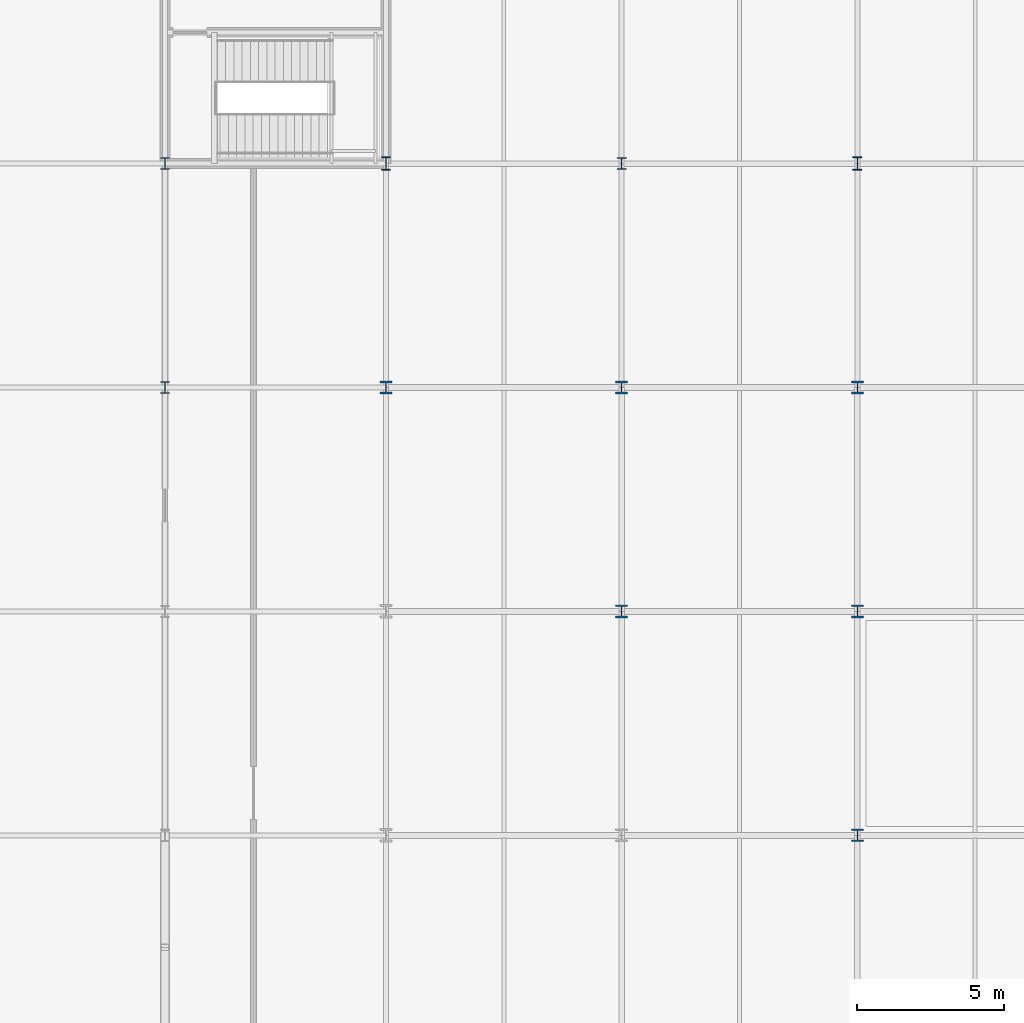
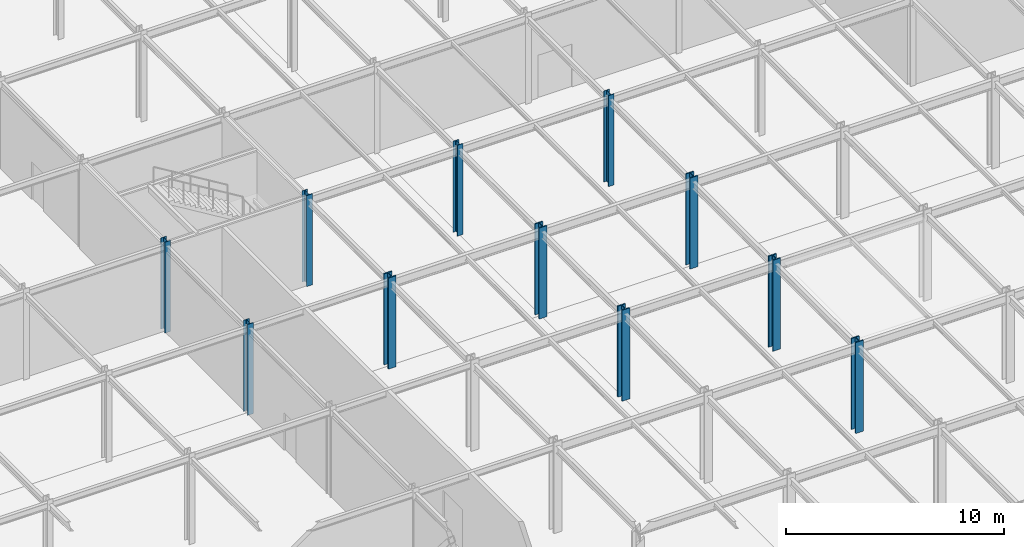
# One storey, part 4 of 113: 11 columns.
"""IFC4 building model written with IfcOpenShell, lengths in metres."""

import ifcopenshell
import ifcopenshell.guid

model = None  # the IFC model being written
_history = None  # IfcOwnerHistory: only IFC2X3 demands one
_inside = {}  # id of a spatial element -> (the spatial element, [elements in it])
_under = {}  # id of a project, library or spatial element -> (it, [spatial elements below it])
_declared = {}  # id of a project -> (the project, [libraries it declares])
_typed = {}  # id of a type object -> (the type object, [elements of that type])
_made_of = {}  # id of a material, layer set ... -> (it, [elements and type objects made of it])


def new_model(schema):
    """Start an empty IFC model of exactly this schema.

    Asked for "IFC4X3", IfcOpenShell would pick the latest addendum, in which some entities
    have other attributes; the version numbers below select the first issue.
    IFC2X3 requires an IfcOwnerHistory on every rooted entity: one is made here for all.
    """
    global model, _history
    if schema == "IFC4X3":
        model = ifcopenshell.file(schema_version=(4, 3, 0, 0))
    else:
        model = ifcopenshell.file(schema=schema)
    _inside.clear()
    _under.clear()
    _declared.clear()
    _typed.clear()
    _made_of.clear()
    _history = None
    if model.schema == "IFC2X3":
        org = make("IfcOrganization", Name="unknown")
        user = make(
            "IfcPersonAndOrganization",
            ThePerson=make("IfcPerson", FamilyName="unknown"),
            TheOrganization=org,
        )
        app = make(
            "IfcApplication",
            ApplicationDeveloper=org,
            Version="unknown",
            ApplicationFullName="unknown",
            ApplicationIdentifier="unknown",
        )
        _history = make(
            "IfcOwnerHistory",
            OwningUser=user,
            OwningApplication=app,
            ChangeAction="ADDED",
            CreationDate=0,
        )
    return model


def make(cls, **values):
    """One entity of the class cls with the attributes given. An attribute that is None is left unset."""
    return model.create_entity(
        cls, **{name: value for name, value in values.items() if value is not None}
    )


def rooted(cls, **values):
    """An entity with a GlobalId (a new one), such as an element, a storey or a relation."""
    return make(cls, GlobalId=ifcopenshell.guid.new(), OwnerHistory=_history, **values)


def si_unit(unit_type, name, prefix=None):
    """IfcSIUnit, for example si_unit("LENGTHUNIT", "METRE", prefix="MILLI")."""
    return make("IfcSIUnit", UnitType=unit_type, Prefix=prefix, Name=name)


def assignment(units):
    """IfcUnitAssignment: the units of a project."""
    return None if units is None else make("IfcUnitAssignment", Units=units)


def point(xyz):
    """IfcCartesianPoint."""
    return None if xyz is None else make("IfcCartesianPoint", Coordinates=xyz)


def direction(xyz):
    """IfcDirection."""
    return None if xyz is None else make("IfcDirection", DirectionRatios=xyz)


def frame(location, z_axis=None, x_axis=None):
    """IfcAxis2Placement3D, a coordinate frame: its origin and axes. An axis left out is left unset."""
    return make(
        "IfcAxis2Placement3D",
        Location=point(location),
        Axis=direction(z_axis),
        RefDirection=direction(x_axis),
    )


def frame_2d(location, x_axis=None):
    """IfcAxis2Placement2D, a coordinate frame in the plane: its origin and x axis."""
    return make(
        "IfcAxis2Placement2D", Location=point(location), RefDirection=direction(x_axis)
    )


def origin():
    """The frame at (0, 0, 0) with its axes left unset."""
    return frame((0.0, 0.0, 0.0))


def origin_2d():
    """The frame at (0, 0) in the plane with its x axis left unset."""
    return frame_2d((0.0, 0.0))


def place(relative_to, where):
    """IfcLocalPlacement: puts the frame where relative to a parent placement (None: the world)."""
    return make(
        "IfcLocalPlacement", PlacementRelTo=relative_to, RelativePlacement=where
    )


def context(
    kind, dimensions, precision=None, world=None, true_north=None, identifier=None
):
    """IfcGeometricRepresentationContext, for example the 3D "Model" context."""
    return make(
        "IfcGeometricRepresentationContext",
        ContextIdentifier=identifier,
        ContextType=kind,
        CoordinateSpaceDimension=dimensions,
        Precision=precision,
        WorldCoordinateSystem=world,
        TrueNorth=true_north,
    )


def subcontext(parent, identifier, kind, view, scale=None):
    """IfcGeometricRepresentationSubContext, for example "Body" below "Model"."""
    return make(
        "IfcGeometricRepresentationSubContext",
        ContextIdentifier=identifier,
        ContextType=kind,
        ParentContext=parent,
        TargetScale=scale,
        TargetView=view,
    )


def project(units=None, contexts=None):
    """IfcProject with its units and contexts."""
    return rooted(
        "IfcProject",
        Name="project",
        RepresentationContexts=contexts,
        UnitsInContext=assignment(units),
    )


def spatial(cls, under=None, at=None, **own):
    """A site, building, storey or space (cls), placed at a placement, below another one or the project."""
    s = rooted(cls, ObjectPlacement=at, **own)
    if under is not None:
        _under.setdefault(under.id(), (under, []))[1].append(s)
    return s


def profile(cls, at=None, kind="AREA", **sizes):
    """A parametric profile (cls). Its sizes go by their IFC names, for example OverallWidth=200.0."""
    return make(cls, ProfileType=kind, Position=at, **sizes)


def i_section(**sizes):
    """IfcIShapeProfileDef."""
    return profile("IfcIShapeProfileDef", **sizes)


def extrude(swept, where, along, depth):
    """IfcExtrudedAreaSolid: the profile swept, set in the frame where, extruded along a direction by depth."""
    return make(
        "IfcExtrudedAreaSolid",
        SweptArea=swept,
        Position=where,
        ExtrudedDirection=direction(along),
        Depth=depth,
    )


def shape(context_of_items, identifier, shape_type, items):
    """IfcShapeRepresentation: the items that make up one representation, for example the "Body"."""
    return make(
        "IfcShapeRepresentation",
        ContextOfItems=context_of_items,
        RepresentationIdentifier=identifier,
        RepresentationType=shape_type,
        Items=items,
    )


def material(Name=None, Category=None):
    """IfcMaterial."""
    return make("IfcMaterial", Name=Name, Category=Category)


def material_profile(
    of_material, cross_section, Name=None, Category=None, Priority=None
):
    """IfcMaterialProfile: a cross section and its material."""
    return make(
        "IfcMaterialProfile",
        Name=Name,
        Material=of_material,
        Profile=cross_section,
        Priority=Priority,
        Category=Category,
    )


def profile_set(profiles, Name=None, composite=None):
    """IfcMaterialProfileSet."""
    return make(
        "IfcMaterialProfileSet",
        Name=Name,
        MaterialProfiles=profiles,
        CompositeProfile=composite,
    )


def made_of(thing, what):
    """Note that an element or type object is made of a material, layer set ...; save() writes the relation."""
    if what is not None:
        _made_of.setdefault(what.id(), (what, []))[1].append(thing)
    return thing


def type_object(cls, material=None, **own):
    """A type object (cls), such as IfcWallType, which elements share."""
    return made_of(rooted(cls, **own), material)


def element(
    cls,
    number,
    at=None,
    inside=None,
    cuts=None,
    type_object=None,
    material=None,
    context=None,
    identifier="Body",
    shape_type=None,
    held_by="IfcProductDefinitionShape",
    body=None,
    shapes=None,
    **own,
):
    """One element of the class cls, such as IfcWall. Its Tag is "e" and its number.

    at: its placement. inside: the storey or other place that contains it. cuts: it is an
    opening in that element (IfcRelVoidsElement). A single representation is given by context,
    identifier, shape_type and body (its items); several are given by shapes. held_by: the class
    of the entity that holds the representations. save() writes the other relations.
    """
    e = rooted(cls, Tag="e%d" % number, ObjectPlacement=at, **own)
    if body is not None:
        shapes = [shape(context, identifier, shape_type, body)]
    if shapes is not None:
        e.Representation = make(held_by, Representations=shapes)
    if inside is not None:
        _inside.setdefault(inside.id(), (inside, []))[1].append(e)
    if cuts is not None:
        rooted(
            "IfcRelVoidsElement", RelatingBuildingElement=cuts, RelatedOpeningElement=e
        )
    if type_object is not None:
        _typed.setdefault(type_object.id(), (type_object, []))[1].append(e)
    return made_of(e, material)


def aggregate(whole, parts):
    """IfcRelAggregates: a whole, such as a stair, and the parts it consists of."""
    return rooted("IfcRelAggregates", RelatingObject=whole, RelatedObjects=parts)


def save(model, path):
    """Write the relations noted so far, then the file.

    IfcRelAggregates (storeys below a building ...), IfcRelContainedInSpatialStructure (elements
    in a storey), IfcRelDefinesByType, IfcRelAssociatesMaterial and IfcRelDeclares: one each for
    every whole, place, type object, material and project.
    """
    for whole, parts in _under.values():
        aggregate(whole, parts)
    for where, things in _inside.values():
        rooted(
            "IfcRelContainedInSpatialStructure",
            RelatedElements=things,
            RelatingStructure=where,
        )
    for kind, things in _typed.values():
        rooted("IfcRelDefinesByType", RelatedObjects=things, RelatingType=kind)
    for what, things in _made_of.values():
        rooted("IfcRelAssociatesMaterial", RelatedObjects=things, RelatingMaterial=what)
    for by, libraries in _declared.values():
        rooted("IfcRelDeclares", RelatingContext=by, RelatedDefinitions=libraries)
    model.write(path)


model = new_model("IFC4")

# Units and contexts
model_context = context("Model", 3, precision=1e-05, world=origin(), true_north=direction((0.0, 1.0)))
body_context = subcontext(model_context, "Body", "Model", "MODEL_VIEW")
ifc_project = project(units=[si_unit("LENGTHUNIT", "METRE"), si_unit("AREAUNIT", "SQUARE_METRE"), si_unit("VOLUMEUNIT", "CUBIC_METRE"), si_unit("PLANEANGLEUNIT", "RADIAN"), si_unit("MASSUNIT", "GRAM", prefix="KILO")], contexts=[model_context])

# Site, building, storey
site_placement = place(None, origin())
site = spatial("IfcSite", under=ifc_project, at=site_placement, CompositionType="ELEMENT")
building_placement = place(site_placement, origin())
building = spatial("IfcBuilding", under=site, at=building_placement, Name="Shalkamar Park Central Library", CompositionType="ELEMENT")
storey_placement = place(building_placement, frame((0.0, 0.0, 5.39990234375)))
storey = spatial("IfcBuildingStorey", under=building, at=storey_placement, Name="L02", CompositionType="ELEMENT", Elevation=5.39990234375)

# Columns
ifc_material = material(Name="Steel S355", Category="steel")
ifc_material_profile_1 = material_profile(ifc_material, i_section(OverallWidth=0.412109375, OverallDepth=0.43505859375, WebThickness=0.035888671875, FlangeThickness=0.057373046875, FilletRadius=0.014892578125, at=origin_2d()), Name="HD 400x463")
ifc_profile_set_1 = profile_set([ifc_material_profile_1], Name="Steel S355")
column_type_1 = type_object("IfcColumnType", Name="Column Steel HD400x463", PredefinedType="COLUMN", material=ifc_profile_set_1)
for number, where, z_axis, x_axis, name in (
    (1, (173.0, 285.60009765625, 0.0), (0.0, 0.0, 1.0), (1.0, 0.0, 0.0), "Column 08/G (L02)"),
    (2, (173.0, 293.199951171875, 0.0), (0.0, 0.0, 1.0), (1.0, 0.0, 0.0), "Column 08/H (L02)"),
    (3, (181.0, 278.0, 0.0), (0.0, 0.0, 1.0), (1.0, 0.0, 0.0), "Column 09/F (L02)"),
    (4, (181.0, 285.60009765625, 0.0), (0.0, 0.0, 1.0), (1.0, 0.0, 0.0), "Column 09/G (L02)"),
    (5, (181.0, 293.199951171875, 0.0), (0.0, 0.0, 1.0), (1.0, 0.0, 0.0), "Column 09/H (L02)"),
):
    element("IfcColumn", number, at=place(storey_placement, frame(where, z_axis=z_axis, x_axis=x_axis)), inside=storey, type_object=column_type_1, Name=name, PredefinedType="COLUMN", context=body_context, shape_type="SweptSolid", body=[
        extrude(i_section(OverallWidth=0.412109375, OverallDepth=0.43505859375, WebThickness=0.035888671875, FlangeThickness=0.057373046875, FilletRadius=0.014892578125, at=origin_2d()), origin(), (0.0, 0.0, 1.0), 5.10009765625),
    ])
ifc_material_profile_2 = material_profile(ifc_material, i_section(OverallWidth=0.41796875, OverallDepth=0.455078125, WebThickness=0.0419921875, FlangeThickness=0.067626953125, FilletRadius=0.014892578125, at=origin_2d()), Name="HD 400x551")
ifc_profile_set_2 = profile_set([ifc_material_profile_2], Name="Steel S355")
column_type_2 = type_object("IfcColumnType", Name="Column Steel HD400x551", PredefinedType="COLUMN", material=ifc_profile_set_2)
column_placement = place(storey_placement, frame((165.0, 293.199951171875, 0.0), z_axis=(0.0, 0.0, 1.0), x_axis=(1.0, 0.0, 0.0)))
element("IfcColumn", 6, at=column_placement, inside=storey, type_object=column_type_2, Name="Column 07/H (L02)", PredefinedType="COLUMN", context=body_context, shape_type="SweptSolid", body=[
    extrude(i_section(OverallWidth=0.41796875, OverallDepth=0.455078125, WebThickness=0.0419921875, FlangeThickness=0.067626953125, FilletRadius=0.014892578125, at=origin_2d()), origin(), (0.0, 0.0, 1.0), 5.10009765625),
])
ifc_material_profile_3 = material_profile(ifc_material, i_section(OverallWidth=0.300048828125, OverallDepth=0.39990234375, WebThickness=0.013427734375, FlangeThickness=0.02392578125, FilletRadius=0.027099609375, at=origin_2d()), Name="HEB 400")
ifc_profile_set_3 = profile_set([ifc_material_profile_3], Name="Steel S355")
column_type_3 = type_object("IfcColumnType", Name="Column Steel HEB400", PredefinedType="COLUMN", material=ifc_profile_set_3)
for number, where, z_axis, x_axis, name in (
    (7, (157.5, 293.199951171875, 0.0), (0.0, 0.0, 1.0), (1.0, 0.0, 0.0), "Column 06/H (L02)"),
    (8, (157.5, 300.800048828125, 0.0), (0.0, 0.0, 1.0), (1.0, 0.0, 0.0), "Column 06/J (L02)"),
    (9, (173.0, 300.800048828125, 0.0), (0.0, 0.0, 1.0), (1.0, 0.0, 0.0), "Column 08/J (L02)"),
):
    element("IfcColumn", number, at=place(storey_placement, frame(where, z_axis=z_axis, x_axis=x_axis)), inside=storey, type_object=column_type_3, Name=name, PredefinedType="COLUMN", context=body_context, shape_type="SweptSolid", body=[
        extrude(i_section(OverallWidth=0.300048828125, OverallDepth=0.39990234375, WebThickness=0.013427734375, FlangeThickness=0.02392578125, FilletRadius=0.027099609375, at=origin_2d()), origin(), (0.0, 0.0, 1.0), 5.10009765625),
    ])
ifc_material_profile_4 = material_profile(ifc_material, i_section(OverallWidth=0.300048828125, OverallDepth=0.449951171875, WebThickness=0.013916015625, FlangeThickness=0.02587890625, FilletRadius=0.027099609375, at=origin_2d()), Name="HEB 450")
ifc_profile_set_4 = profile_set([ifc_material_profile_4], Name="Steel S355")
column_type_4 = type_object("IfcColumnType", Name="Column Steel HEB450", PredefinedType="COLUMN", material=ifc_profile_set_4)
for number, where, z_axis, x_axis, name in (
    (10, (165.0, 300.800048828125, 0.0), (0.0, 0.0, 1.0), (1.0, 0.0, 0.0), "Column 07/J (L02)"),
    (11, (181.0, 300.800048828125, 0.0), (0.0, 0.0, 1.0), (1.0, 0.0, 0.0), "Column 09/J (L02)"),
):
    element("IfcColumn", number, at=place(storey_placement, frame(where, z_axis=z_axis, x_axis=x_axis)), inside=storey, type_object=column_type_4, Name=name, PredefinedType="COLUMN", context=body_context, shape_type="SweptSolid", body=[
        extrude(i_section(OverallWidth=0.300048828125, OverallDepth=0.449951171875, WebThickness=0.013916015625, FlangeThickness=0.02587890625, FilletRadius=0.027099609375, at=origin_2d()), origin(), (0.0, 0.0, 1.0), 5.10009765625),
    ])

save(model, "model.ifc")
